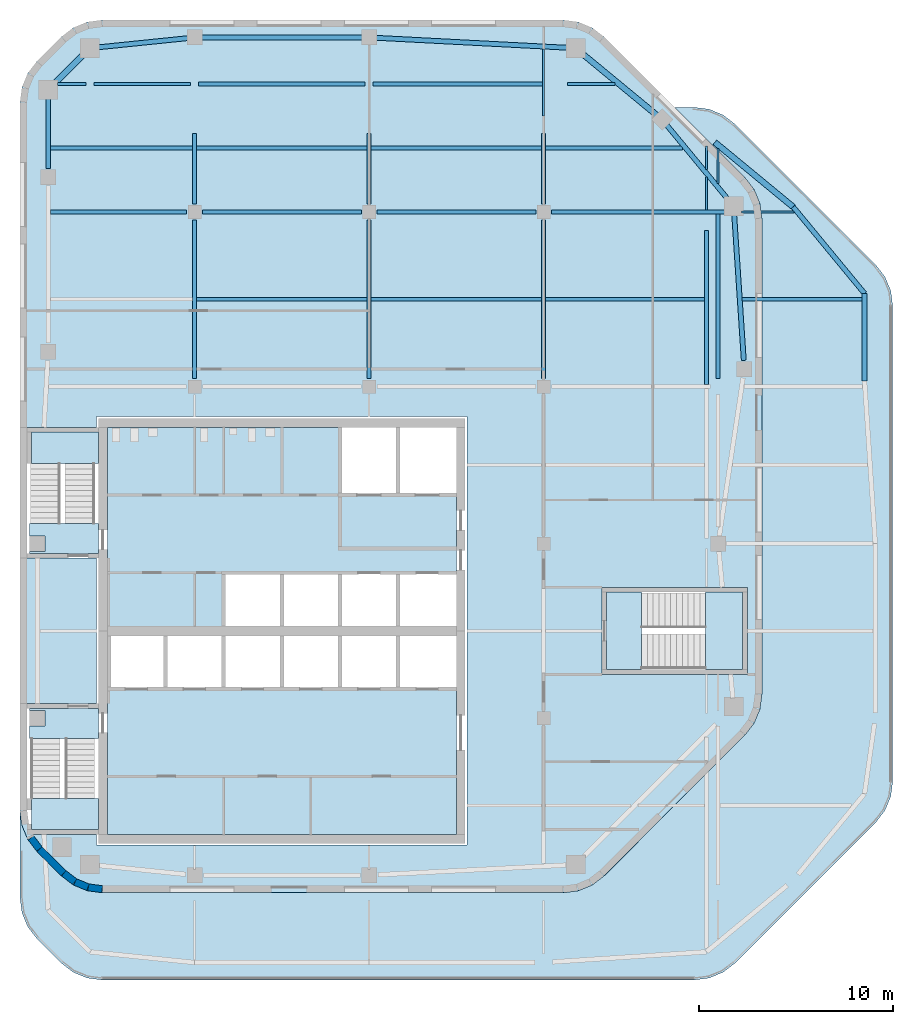
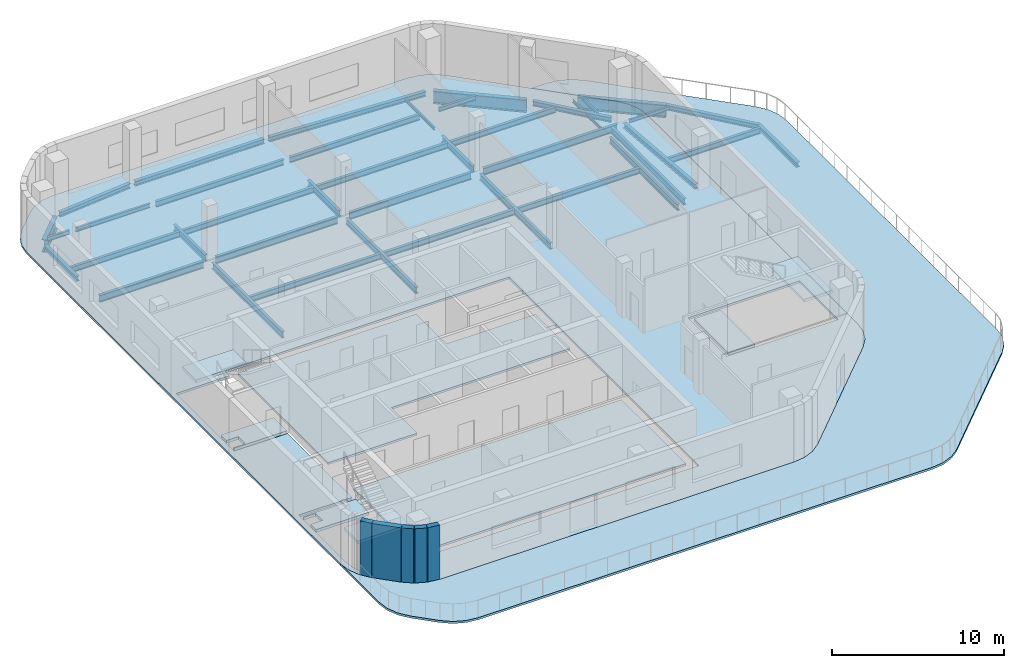
# One storey, part 2 of 7: 41 beams, 10 slabs, 5 walls, 3 elements without a shape of their own.
"""IFC4 building model written with IfcOpenShell, lengths in metres."""

from ifc_helpers import new_model, si_unit, direction, frame, frame_2d, origin, origin_2d, place, context, subcontext, project, spatial, polyline, rectangle, i_section, outline, extrude, material, layer, layer_set, material_profile, profile_set, type_object, element, aggregate, save


model = new_model("IFC4")

# Units and contexts
model_context = context("Model", 3, precision=1e-05, world=origin(), true_north=direction((0.0, 1.0)))
body_context = subcontext(model_context, "Body", "Model", "MODEL_VIEW")
ifc_project = project(units=[si_unit("LENGTHUNIT", "METRE"), si_unit("AREAUNIT", "SQUARE_METRE"), si_unit("VOLUMEUNIT", "CUBIC_METRE"), si_unit("PLANEANGLEUNIT", "RADIAN"), si_unit("MASSUNIT", "GRAM", prefix="KILO")], contexts=[model_context])

# Site, building, storey
site_placement = place(None, origin())
site = spatial("IfcSite", under=ifc_project, at=site_placement, CompositionType="ELEMENT")
building_placement = place(site_placement, origin())
building = spatial("IfcBuilding", under=site, at=building_placement, Name="Cinnabar Reach Civic Tower", CompositionType="ELEMENT")
storey_placement = place(building_placement, frame((0.0, 0.0, 247.0)))
storey = spatial("IfcBuildingStorey", under=building, at=storey_placement, Name="L59", CompositionType="ELEMENT", Elevation=247.0)

# Beams
ifc_material_1 = material(Name="Steel Q355B", Category="steel")
ifc_material_profile_1 = material_profile(ifc_material_1, i_section(OverallWidth=0.25, OverallDepth=0.34, WebThickness=0.009, FlangeThickness=0.014, FilletRadius=0.013, at=origin_2d()), Name="HM340x250x9x14")
ifc_profile_set_1 = profile_set([ifc_material_profile_1], Name="Steel Q355B")
beam_type_1 = type_object("IfcBeamType", Name="HM340x250x9x14 beam R 180", PredefinedType="BEAM", material=ifc_profile_set_1)
beam_1_placement = place(storey_placement, frame((37.3202, 45.452, -0.32), z_axis=(-0.065707231721, 0.99783894477, 0.0), x_axis=(-0.99783894477, -0.065707231721, 0.0)))
element("IfcBeam", 1, at=beam_1_placement, inside=storey, type_object=beam_type_1, Name="Edge beam T1 L59 8", PredefinedType="BEAM", context=body_context, shape_type="SweptSolid", body=[
    extrude(i_section(OverallWidth=0.25, OverallDepth=0.34, WebThickness=0.009, FlangeThickness=0.014, FilletRadius=0.013, at=origin_2d()), origin(), (0.0, 0.0, 1.0), 7.5304),
])
beam_2_placement = place(storey_placement, frame((36.4406, 53.8301, -0.32), z_axis=(-0.636320119611, 0.771425113267, 0.0), x_axis=(-0.771425113267, -0.636320119611, 0.0)))
element("IfcBeam", 2, at=beam_2_placement, inside=storey, type_object=beam_type_1, Name="Edge beam T1 L59 9", PredefinedType="BEAM", context=body_context, shape_type="SweptSolid", body=[
    extrude(i_section(OverallWidth=0.25, OverallDepth=0.34, WebThickness=0.009, FlangeThickness=0.014, FilletRadius=0.013, at=origin_2d()), origin(), (0.0, 0.0, 1.0), 4.8769),
])
beam_3_placement = place(storey_placement, frame((28.3968, 61.56, -0.32), z_axis=(-0.998653667697, 0.051873422826, 0.0), x_axis=(-0.051873422826, -0.998653667697, 0.0)))
element("IfcBeam", 3, at=beam_3_placement, inside=storey, type_object=beam_type_1, Name="Edge beam T1 L59 11", PredefinedType="BEAM", context=body_context, shape_type="SweptSolid", body=[
    extrude(i_section(OverallWidth=0.25, OverallDepth=0.34, WebThickness=0.009, FlangeThickness=0.014, FilletRadius=0.013, at=origin_2d()), origin(), (0.0, 0.0, 1.0), 10.2461),
])
beam_4_placement = place(storey_placement, frame((17.8481, 62.1, -0.32), z_axis=(-1.0, 0.0, 0.0), x_axis=(0.0, -1.0, 0.0)))
element("IfcBeam", 4, at=beam_4_placement, inside=storey, type_object=beam_type_1, Name="Edge beam T1 L59 12", PredefinedType="BEAM", context=body_context, shape_type="SweptSolid", body=[
    extrude(i_section(OverallWidth=0.25, OverallDepth=0.34, WebThickness=0.009, FlangeThickness=0.014, FilletRadius=0.013, at=origin_2d()), origin(), (0.0, 0.0, 1.0), 8.6962),
])
beam_5_placement = place(storey_placement, frame((8.8234, 62.0819, -0.32), z_axis=(-0.994791837941, -0.101927421073, 0.0), x_axis=(0.101927421073, -0.994791837941, 0.0)))
element("IfcBeam", 5, at=beam_5_placement, inside=storey, type_object=beam_type_1, Name="Edge beam T1 L59 13", PredefinedType="BEAM", context=body_context, shape_type="SweptSolid", body=[
    extrude(i_section(OverallWidth=0.25, OverallDepth=0.34, WebThickness=0.009, FlangeThickness=0.014, FilletRadius=0.013, at=origin_2d()), origin(), (0.0, 0.0, 1.0), 5.0526),
])
beam_6_placement = place(storey_placement, frame((1.4531, 59.0938, -0.32), z_axis=(0.0, -1.0, 0.0), x_axis=(1.0, 0.0, 0.0)))
element("IfcBeam", 6, at=beam_6_placement, inside=storey, type_object=beam_type_1, Name="Edge beam T1 L59 15", PredefinedType="BEAM", context=body_context, shape_type="SweptSolid", body=[
    extrude(i_section(OverallWidth=0.25, OverallDepth=0.34, WebThickness=0.009, FlangeThickness=0.014, FilletRadius=0.013, at=origin_2d()), origin(), (0.0, 0.0, 1.0), 3.7637),
])
beam_7_placement = place(storey_placement, frame((43.5469, 44.3981, -0.32), z_axis=(0.0, 1.0, 0.0), x_axis=(-1.0, 0.0, 0.0)))
element("IfcBeam", 7, at=beam_7_placement, inside=storey, type_object=beam_type_1, Name="Edge beam T1 L59 28", PredefinedType="BEAM", context=body_context, shape_type="SweptSolid", body=[
    extrude(i_section(OverallWidth=0.25, OverallDepth=0.34, WebThickness=0.009, FlangeThickness=0.014, FilletRadius=0.013, at=origin_2d()), origin(), (0.0, 0.0, 1.0), 4.5),
])
beam_8_placement = place(storey_placement, frame((43.5469, 48.8981, -0.32), z_axis=(-0.636307142697, 0.77143581726, 0.0), x_axis=(-0.77143581726, -0.636307142697, 0.0)))
element("IfcBeam", 8, at=beam_8_placement, inside=storey, type_object=beam_type_1, Name="Edge beam T1 L59 29", PredefinedType="BEAM", context=body_context, shape_type="SweptSolid", body=[
    extrude(i_section(OverallWidth=0.25, OverallDepth=0.34, WebThickness=0.009, FlangeThickness=0.014, FilletRadius=0.013, at=origin_2d()), origin(), (0.0, 0.0, 1.0), 5.7886),
])
ifc_material_profile_2 = material_profile(ifc_material_1, i_section(OverallWidth=0.099, OverallDepth=0.198, WebThickness=0.0045, FlangeThickness=0.007, FilletRadius=0.013, at=origin_2d()), Name="HN200x100x5.5x8")
ifc_profile_set_2 = profile_set([ifc_material_profile_2], Name="Steel Q355B")
beam_type_2 = type_object("IfcBeamType", Name="HN200x100x5.5x8 beam R 180", PredefinedType="BEAM", material=ifc_profile_set_2)
beam_9_placement = place(storey_placement, frame((27.0, 58.052, -0.249), z_axis=(0.0, 1.0, 0.0), x_axis=(-1.0, 0.0, 0.0)))
element("IfcBeam", 9, at=beam_9_placement, inside=storey, type_object=beam_type_2, Name="Girder T1 L59 17", PredefinedType="BEAM", context=body_context, shape_type="SweptSolid", body=[
    extrude(i_section(OverallWidth=0.099, OverallDepth=0.198, WebThickness=0.0045, FlangeThickness=0.007, FilletRadius=0.013, at=origin_2d()), origin(), (0.0, 0.0, 1.0), 3.4533),
])
beam_10_placement = place(storey_placement, frame((35.3981, 53.202, -0.249), z_axis=(0.0, 1.0, 0.0), x_axis=(-1.0, 0.0, 0.0)))
element("IfcBeam", 10, at=beam_10_placement, inside=storey, type_object=beam_type_2, Name="Girder T1 L59 23", PredefinedType="BEAM", context=body_context, shape_type="SweptSolid", body=[
    extrude(i_section(OverallWidth=0.099, OverallDepth=0.198, WebThickness=0.0045, FlangeThickness=0.007, FilletRadius=0.013, at=origin_2d()), origin(), (0.0, 0.0, 1.0), 1.6924),
])
beam_11_placement = place(storey_placement, frame((35.3981, 55.2935, -0.249), z_axis=(0.0, 1.0, 0.0), x_axis=(-1.0, 0.0, 0.0)))
element("IfcBeam", 11, at=beam_11_placement, inside=storey, type_object=beam_type_2, Name="Girder T1 L59 24", PredefinedType="BEAM", context=body_context, shape_type="SweptSolid", body=[
    extrude(i_section(OverallWidth=0.099, OverallDepth=0.198, WebThickness=0.0045, FlangeThickness=0.007, FilletRadius=0.013, at=origin_2d()), origin(), (0.0, 0.0, 1.0), 1.2014),
])
beam_12_placement = place(storey_placement, frame((36.0, 54.5638, -0.249), z_axis=(0.0, 1.0, 0.0), x_axis=(-1.0, 0.0, 0.0)))
element("IfcBeam", 12, at=beam_12_placement, inside=storey, type_object=beam_type_2, Name="Girder T1 L59 30", PredefinedType="BEAM", context=body_context, shape_type="SweptSolid", body=[
    extrude(i_section(OverallWidth=0.099, OverallDepth=0.198, WebThickness=0.0045, FlangeThickness=0.007, FilletRadius=0.013, at=origin_2d()), origin(), (0.0, 0.0, 1.0), 1.822),
])
ifc_material_profile_3 = material_profile(ifc_material_1, i_section(OverallWidth=0.124, OverallDepth=0.248, WebThickness=0.005, FlangeThickness=0.008, FilletRadius=0.013, at=origin_2d()), Name="HN250x125x6x9")
ifc_profile_set_3 = profile_set([ifc_material_profile_3], Name="Steel Q355B")
beam_type_3 = type_object("IfcBeamType", Name="HN250x125x6x9 beam R 180", PredefinedType="BEAM", material=ifc_profile_set_3)
beam_13_placement = place(storey_placement, frame((37.1989, 53.1, -0.274), z_axis=(1.0, 0.0, 0.0), x_axis=(0.0, 1.0, 0.0)))
element("IfcBeam", 13, at=beam_13_placement, inside=storey, type_object=beam_type_3, Name="Girder T1 L59 11", PredefinedType="BEAM", context=body_context, shape_type="SweptSolid", body=[
    extrude(i_section(OverallWidth=0.124, OverallDepth=0.248, WebThickness=0.005, FlangeThickness=0.008, FilletRadius=0.013, at=origin_2d()), origin(), (0.0, 0.0, 1.0), 2.7175),
])
ifc_material_profile_4 = material_profile(ifc_material_1, i_section(OverallWidth=0.15, OverallDepth=0.3, WebThickness=0.0065, FlangeThickness=0.009, FilletRadius=0.013, at=origin_2d()), Name="HN300x150x6.5x9")
ifc_profile_set_4 = profile_set([ifc_material_profile_4], Name="Steel Q355B")
beam_type_4 = type_object("IfcBeamType", Name="HN300x150x6.5x9 beam R 180", PredefinedType="BEAM", material=ifc_profile_set_4)
beam_14_placement = place(storey_placement, frame((1.9346, 59.7, -0.3), z_axis=(1.0, 0.0, 0.0), x_axis=(0.0, 1.0, 0.0)))
element("IfcBeam", 14, at=beam_14_placement, inside=storey, type_object=beam_type_4, Name="Secondary beam T1 L59 21", PredefinedType="BEAM", context=body_context, shape_type="SweptSolid", body=[
    extrude(i_section(OverallWidth=0.15, OverallDepth=0.3, WebThickness=0.0065, FlangeThickness=0.009, FilletRadius=0.013, at=origin_2d()), origin(), (0.0, 0.0, 1.0), 1.4653),
])
beam_15_placement = place(storey_placement, frame((3.8039, 59.7, -0.3), z_axis=(1.0, 0.0, 0.0), x_axis=(0.0, 1.0, 0.0)))
element("IfcBeam", 15, at=beam_15_placement, inside=storey, type_object=beam_type_4, Name="Secondary beam T1 L59 22", PredefinedType="BEAM", context=body_context, shape_type="SweptSolid", body=[
    extrude(i_section(OverallWidth=0.15, OverallDepth=0.3, WebThickness=0.0065, FlangeThickness=0.009, FilletRadius=0.013, at=origin_2d()), origin(), (0.0, 0.0, 1.0), 4.9941),
])
beam_16_placement = place(storey_placement, frame((28.2288, 59.7, -0.3), z_axis=(1.0, 0.0, 0.0), x_axis=(0.0, 1.0, 0.0)))
element("IfcBeam", 16, at=beam_16_placement, inside=storey, type_object=beam_type_4, Name="Secondary beam T1 L59 25", PredefinedType="BEAM", context=body_context, shape_type="SweptSolid", body=[
    extrude(i_section(OverallWidth=0.15, OverallDepth=0.3, WebThickness=0.0065, FlangeThickness=0.009, FilletRadius=0.013, at=origin_2d()), origin(), (0.0, 0.0, 1.0), 2.4588),
])
ifc_material_profile_5 = material_profile(ifc_material_1, i_section(OverallWidth=0.2, OverallDepth=0.4, WebThickness=0.008, FlangeThickness=0.013, FilletRadius=0.016, at=origin_2d()), Name="HN400x200x8x13")
ifc_profile_set_5 = profile_set([ifc_material_profile_5], Name="Steel Q355B")
beam_type_5 = type_object("IfcBeamType", Name="HN400x200x8x13 beam R 180", PredefinedType="BEAM", material=ifc_profile_set_5)
for number, where, z_axis, x_axis, name in (
    (17, (9.102, 48.6, -0.35), (1.0, 0.0, 0.0), (0.0, 1.0, 0.0), "Secondary beam T1 L59 13"),
    (18, (18.102, 48.6, -0.35), (1.0, 0.0, 0.0), (0.0, 1.0, 0.0), "Secondary beam T1 L59 14"),
):
    element("IfcBeam", number, at=place(storey_placement, frame(where, z_axis=z_axis, x_axis=x_axis)), inside=storey, type_object=beam_type_5, Name=name, PredefinedType="BEAM", context=body_context, shape_type="SweptSolid", body=[
        extrude(i_section(OverallWidth=0.2, OverallDepth=0.4, WebThickness=0.008, FlangeThickness=0.013, FilletRadius=0.016, at=origin_2d()), origin(), (0.0, 0.0, 1.0), 8.796),
    ])
beam_17_placement = place(storey_placement, frame((27.102, 48.6, -0.35), z_axis=(1.0, 0.0, 0.0), x_axis=(0.0, 1.0, 0.0)))
element("IfcBeam", 19, at=beam_17_placement, inside=storey, type_object=beam_type_5, Name="Secondary beam T1 L59 15", PredefinedType="BEAM", context=body_context, shape_type="SweptSolid", body=[
    extrude(i_section(OverallWidth=0.2, OverallDepth=0.4, WebThickness=0.008, FlangeThickness=0.013, FilletRadius=0.016, at=origin_2d()), origin(), (0.0, 0.0, 1.0), 8.1941),
])
beam_18_placement = place(storey_placement, frame((37.2402, 48.6, -0.35), z_axis=(1.0, 0.0, 0.0), x_axis=(0.0, 1.0, 0.0)))
element("IfcBeam", 20, at=beam_18_placement, inside=storey, type_object=beam_type_5, Name="Secondary beam T1 L59 16", PredefinedType="BEAM", context=body_context, shape_type="SweptSolid", body=[
    extrude(i_section(OverallWidth=0.2, OverallDepth=0.4, WebThickness=0.008, FlangeThickness=0.013, FilletRadius=0.016, at=origin_2d()), origin(), (0.0, 0.0, 1.0), 6.1797),
])
beam_19_placement = place(storey_placement, frame((1.5801, 56.4, -0.35), z_axis=(1.0, 0.0, 0.0), x_axis=(0.0, 1.0, 0.0)))
element("IfcBeam", 21, at=beam_19_placement, inside=storey, type_object=beam_type_5, Name="Secondary beam T1 L59 17", PredefinedType="BEAM", context=body_context, shape_type="SweptSolid", body=[
    extrude(i_section(OverallWidth=0.2, OverallDepth=0.4, WebThickness=0.008, FlangeThickness=0.013, FilletRadius=0.016, at=origin_2d()), origin(), (0.0, 0.0, 1.0), 7.3179),
])
for number, where, z_axis, x_axis, name in (
    (22, (9.102, 56.4, -0.35), (1.0, 0.0, 0.0), (0.0, 1.0, 0.0), "Secondary beam T1 L59 18"),
    (23, (18.102, 56.4, -0.35), (1.0, 0.0, 0.0), (0.0, 1.0, 0.0), "Secondary beam T1 L59 19"),
):
    element("IfcBeam", number, at=place(storey_placement, frame(where, z_axis=z_axis, x_axis=x_axis)), inside=storey, type_object=beam_type_5, Name=name, PredefinedType="BEAM", context=body_context, shape_type="SweptSolid", body=[
        extrude(i_section(OverallWidth=0.2, OverallDepth=0.4, WebThickness=0.008, FlangeThickness=0.013, FilletRadius=0.016, at=origin_2d()), origin(), (0.0, 0.0, 1.0), 8.796),
    ])
beam_20_placement = place(storey_placement, frame((27.102, 56.4, -0.35), z_axis=(1.0, 0.0, 0.0), x_axis=(0.0, 1.0, 0.0)))
element("IfcBeam", 24, at=beam_20_placement, inside=storey, type_object=beam_type_5, Name="Secondary beam T1 L59 20", PredefinedType="BEAM", context=body_context, shape_type="SweptSolid", body=[
    extrude(i_section(OverallWidth=0.2, OverallDepth=0.4, WebThickness=0.008, FlangeThickness=0.013, FilletRadius=0.016, at=origin_2d()), origin(), (0.0, 0.0, 1.0), 7.0542),
])
beam_21_placement = place(storey_placement, frame((9.202, 59.7, -0.35), z_axis=(1.0, 0.0, 0.0), x_axis=(0.0, 1.0, 0.0)))
element("IfcBeam", 25, at=beam_21_placement, inside=storey, type_object=beam_type_5, Name="Secondary beam T1 L59 23", PredefinedType="BEAM", context=body_context, shape_type="SweptSolid", body=[
    extrude(i_section(OverallWidth=0.2, OverallDepth=0.4, WebThickness=0.008, FlangeThickness=0.013, FilletRadius=0.016, at=origin_2d()), origin(), (0.0, 0.0, 1.0), 8.596),
])
beam_22_placement = place(storey_placement, frame((18.202, 59.7, -0.35), z_axis=(1.0, 0.0, 0.0), x_axis=(0.0, 1.0, 0.0)))
element("IfcBeam", 26, at=beam_22_placement, inside=storey, type_object=beam_type_5, Name="Secondary beam T1 L59 24", PredefinedType="BEAM", context=body_context, shape_type="SweptSolid", body=[
    extrude(i_section(OverallWidth=0.2, OverallDepth=0.4, WebThickness=0.008, FlangeThickness=0.013, FilletRadius=0.016, at=origin_2d()), origin(), (0.0, 0.0, 1.0), 8.7465),
])
ifc_material_profile_6 = material_profile(ifc_material_1, i_section(OverallWidth=0.2, OverallDepth=0.45, WebThickness=0.009, FlangeThickness=0.014, FilletRadius=0.016, at=origin_2d()), Name="HN450x200x9x14")
ifc_profile_set_6 = profile_set([ifc_material_profile_6], Name="Steel Q355B")
beam_type_6 = type_object("IfcBeamType", Name="HN450x200x9x14 beam R 180", PredefinedType="BEAM", material=ifc_profile_set_6)
beam_23_placement = place(storey_placement, frame((9.0, 44.502, -0.375), z_axis=(0.0, 1.0, 0.0), x_axis=(-1.0, 0.0, 0.0)))
element("IfcBeam", 27, at=beam_23_placement, inside=storey, type_object=beam_type_6, Name="Girder T1 L59 4", PredefinedType="BEAM", context=body_context, shape_type="SweptSolid", body=[
    extrude(i_section(OverallWidth=0.2, OverallDepth=0.45, WebThickness=0.009, FlangeThickness=0.014, FilletRadius=0.016, at=origin_2d()), origin(), (0.0, 0.0, 1.0), 8.196),
])
beam_24_placement = place(storey_placement, frame((9.0, 53.502, -0.375), z_axis=(0.0, 1.0, 0.0), x_axis=(-1.0, 0.0, 0.0)))
element("IfcBeam", 28, at=beam_24_placement, inside=storey, type_object=beam_type_6, Name="Girder T1 L59 5", PredefinedType="BEAM", context=body_context, shape_type="SweptSolid", body=[
    extrude(i_section(OverallWidth=0.2, OverallDepth=0.45, WebThickness=0.009, FlangeThickness=0.014, FilletRadius=0.016, at=origin_2d()), origin(), (0.0, 0.0, 1.0), 3.646),
])
beam_25_placement = place(storey_placement, frame((18.0, 44.502, -0.375), z_axis=(0.0, 1.0, 0.0), x_axis=(-1.0, 0.0, 0.0)))
element("IfcBeam", 29, at=beam_25_placement, inside=storey, type_object=beam_type_6, Name="Girder T1 L59 9", PredefinedType="BEAM", context=body_context, shape_type="SweptSolid", body=[
    extrude(i_section(OverallWidth=0.2, OverallDepth=0.45, WebThickness=0.009, FlangeThickness=0.014, FilletRadius=0.016, at=origin_2d()), origin(), (0.0, 0.0, 1.0), 8.196),
])
beam_26_placement = place(storey_placement, frame((18.0, 53.502, -0.375), z_axis=(0.0, 1.0, 0.0), x_axis=(-1.0, 0.0, 0.0)))
element("IfcBeam", 30, at=beam_26_placement, inside=storey, type_object=beam_type_6, Name="Girder T1 L59 10", PredefinedType="BEAM", context=body_context, shape_type="SweptSolid", body=[
    extrude(i_section(OverallWidth=0.2, OverallDepth=0.45, WebThickness=0.009, FlangeThickness=0.014, FilletRadius=0.016, at=origin_2d()), origin(), (0.0, 0.0, 1.0), 3.646),
])
beam_27_placement = place(storey_placement, frame((27.0, 44.502, -0.375), z_axis=(0.0, 1.0, 0.0), x_axis=(-1.0, 0.0, 0.0)))
element("IfcBeam", 31, at=beam_27_placement, inside=storey, type_object=beam_type_6, Name="Girder T1 L59 15", PredefinedType="BEAM", context=body_context, shape_type="SweptSolid", body=[
    extrude(i_section(OverallWidth=0.2, OverallDepth=0.45, WebThickness=0.009, FlangeThickness=0.014, FilletRadius=0.016, at=origin_2d()), origin(), (0.0, 0.0, 1.0), 8.196),
])
beam_28_placement = place(storey_placement, frame((27.0, 53.502, -0.375), z_axis=(0.0, 1.0, 0.0), x_axis=(-1.0, 0.0, 0.0)))
element("IfcBeam", 32, at=beam_28_placement, inside=storey, type_object=beam_type_6, Name="Girder T1 L59 16", PredefinedType="BEAM", context=body_context, shape_type="SweptSolid", body=[
    extrude(i_section(OverallWidth=0.2, OverallDepth=0.45, WebThickness=0.009, FlangeThickness=0.014, FilletRadius=0.016, at=origin_2d()), origin(), (0.0, 0.0, 1.0), 3.646),
])
beam_29_placement = place(storey_placement, frame((35.3981, 44.202, -0.375), z_axis=(0.0, 1.0, 0.0), x_axis=(-1.0, 0.0, 0.0)))
element("IfcBeam", 33, at=beam_29_placement, inside=storey, type_object=beam_type_6, Name="Girder T1 L59 22", PredefinedType="BEAM", context=body_context, shape_type="SweptSolid", body=[
    extrude(i_section(OverallWidth=0.2, OverallDepth=0.45, WebThickness=0.009, FlangeThickness=0.014, FilletRadius=0.016, at=origin_2d()), origin(), (0.0, 0.0, 1.0), 7.9429),
])
beam_30_placement = place(storey_placement, frame((36.0, 44.502, -0.375), z_axis=(0.0, 1.0, 0.0), x_axis=(-1.0, 0.0, 0.0)))
element("IfcBeam", 34, at=beam_30_placement, inside=storey, type_object=beam_type_6, Name="Girder T1 L59 29", PredefinedType="BEAM", context=body_context, shape_type="SweptSolid", body=[
    extrude(i_section(OverallWidth=0.2, OverallDepth=0.45, WebThickness=0.009, FlangeThickness=0.014, FilletRadius=0.016, at=origin_2d()), origin(), (0.0, 0.0, 1.0), 8.496),
])
ifc_material_profile_7 = material_profile(ifc_material_1, i_section(OverallWidth=0.2, OverallDepth=0.5, WebThickness=0.01, FlangeThickness=0.016, FilletRadius=0.016, at=origin_2d()), Name="HN500x200x10x16")
ifc_profile_set_7 = profile_set([ifc_material_profile_7], Name="Steel Q355B")
beam_type_7 = type_object("IfcBeamType", Name="HN500x200x10x16 beam R 180", PredefinedType="BEAM", material=ifc_profile_set_7)
beam_31_placement = place(storey_placement, frame((1.5801, 53.1, -0.4), z_axis=(1.0, 0.0, 0.0), x_axis=(0.0, 1.0, 0.0)))
element("IfcBeam", 35, at=beam_31_placement, inside=storey, type_object=beam_type_7, Name="Girder T1 L59 7", PredefinedType="BEAM", context=body_context, shape_type="SweptSolid", body=[
    extrude(i_section(OverallWidth=0.2, OverallDepth=0.5, WebThickness=0.01, FlangeThickness=0.016, FilletRadius=0.016, at=origin_2d()), origin(), (0.0, 0.0, 1.0), 7.0179),
])
for number, where, z_axis, x_axis, name in (
    (36, (9.402, 53.1, -0.4), (1.0, 0.0, 0.0), (0.0, 1.0, 0.0), "Girder T1 L59 8"),
    (37, (18.402, 53.1, -0.4), (1.0, 0.0, 0.0), (0.0, 1.0, 0.0), "Girder T1 L59 9"),
):
    element("IfcBeam", number, at=place(storey_placement, frame(where, z_axis=z_axis, x_axis=x_axis)), inside=storey, type_object=beam_type_7, Name=name, PredefinedType="BEAM", context=body_context, shape_type="SweptSolid", body=[
        extrude(i_section(OverallWidth=0.2, OverallDepth=0.5, WebThickness=0.01, FlangeThickness=0.016, FilletRadius=0.016, at=origin_2d()), origin(), (0.0, 0.0, 1.0), 8.196),
    ])
beam_32_placement = place(storey_placement, frame((27.402, 53.1, -0.4), z_axis=(1.0, 0.0, 0.0), x_axis=(0.0, 1.0, 0.0)))
element("IfcBeam", 38, at=beam_32_placement, inside=storey, type_object=beam_type_7, Name="Girder T1 L59 10", PredefinedType="BEAM", context=body_context, shape_type="SweptSolid", body=[
    extrude(i_section(OverallWidth=0.2, OverallDepth=0.5, WebThickness=0.01, FlangeThickness=0.016, FilletRadius=0.016, at=origin_2d()), origin(), (0.0, 0.0, 1.0), 8.9929),
])
ifc_material_profile_8 = material_profile(ifc_material_1, i_section(OverallWidth=0.3, OverallDepth=0.9, WebThickness=0.016, FlangeThickness=0.028, FilletRadius=0.02, at=origin_2d()), Name="HN900x300x16x28")
ifc_profile_set_8 = profile_set([ifc_material_profile_8], Name="Steel Q355B")
beam_type_8 = type_object("IfcBeamType", Name="TRANSFER HN900x300x16x28 R 240", PredefinedType="BEAM", material=ifc_profile_set_8)
beam_33_placement = place(storey_placement, frame((33.094, 57.8798, -0.6), z_axis=(-0.771441858352, 0.636299818625, 0.0), x_axis=(-0.636299818625, -0.771441858352, 0.0)))
element("IfcBeam", 39, at=beam_33_placement, inside=storey, type_object=beam_type_8, Name="Edge beam T1 L59 10", PredefinedType="BEAM", context=body_context, shape_type="SweptSolid", body=[
    extrude(i_section(OverallWidth=0.3, OverallDepth=0.9, WebThickness=0.016, FlangeThickness=0.028, FilletRadius=0.02, at=origin_2d()), origin(), (0.0, 0.0, 1.0), 5.5112),
])
beam_34_placement = place(storey_placement, frame((3.3999, 61.3449, -0.6), z_axis=(-0.707106781187, -0.707106781187, 0.0), x_axis=(0.707106781187, -0.707106781187, 0.0)))
element("IfcBeam", 40, at=beam_34_placement, inside=storey, type_object=beam_type_8, Name="Edge beam T1 L59 14", PredefinedType="BEAM", context=body_context, shape_type="SweptSolid", body=[
    extrude(i_section(OverallWidth=0.3, OverallDepth=0.9, WebThickness=0.016, FlangeThickness=0.028, FilletRadius=0.02, at=origin_2d()), origin(), (0.0, 0.0, 1.0), 2.5463),
])
beam_35_placement = place(storey_placement, frame((39.8636, 53.3636, -0.6), z_axis=(-0.771433127249, 0.636310403956, 0.0), x_axis=(-0.636310403956, -0.771433127249, 0.0)))
element("IfcBeam", 41, at=beam_35_placement, inside=storey, type_object=beam_type_8, Name="Edge beam T1 L59 30", PredefinedType="BEAM", context=body_context, shape_type="SweptSolid", body=[
    extrude(i_section(OverallWidth=0.3, OverallDepth=0.9, WebThickness=0.016, FlangeThickness=0.028, FilletRadius=0.02, at=origin_2d()), origin(), (0.0, 0.0, 1.0), 5.2286),
])

# Slab
ifc_material_2 = material(Name="Concrete C40", Category="concrete")
ifc_layer_1 = layer(ifc_material_2, 0.15)
ifc_layer_set_1 = layer_set([ifc_layer_1], Name="Composite floor slab 150 REI 150")
slab_type_1 = type_object("IfcSlabType", Name="Composite floor slab 150 REI 150", PredefinedType="FLOOR", material=ifc_layer_set_1)
slab_1_placement = place(storey_placement, frame((0.0, 0.0, -0.15)))
element("IfcSlab", 42, at=slab_1_placement, inside=storey, type_object=slab_type_1, Name="Composite floor slab 150 T1 L59", PredefinedType="FLOOR", context=body_context, shape_type="SweptSolid", body=[
    extrude(outline(polyline([(0.8787, 20.1213), (0.4019, 20.7426), (0.1022, 21.4662), (0.0, 22.2426), (0.0, 58.7574), (0.1022, 59.5338), (0.4019, 60.2574), (0.8787, 60.8787), (2.1213, 62.1213), (2.7426, 62.5981), (3.4662, 62.8978), (4.2426, 63.0), (28.0074, 63.0), (28.7838, 62.8978), (29.5074, 62.5981), (30.1287, 62.1213), (37.3713, 54.8787), (37.8481, 54.2574), (38.1478, 53.5338), (38.25, 52.7574), (38.25, 28.2426), (38.1478, 27.4662), (37.8481, 26.7426), (37.3713, 26.1213), (30.1287, 18.8787), (29.5074, 18.4019), (28.7838, 18.1022), (28.0074, 18.0), (4.2426, 18.0), (3.4662, 18.1022), (2.7426, 18.4019), (2.1213, 18.8787), (0.8787, 20.1213)]), holes=[polyline([(0.685, 21.0), (3.95, 21.0), (3.95, 20.45), (23.05, 20.45), (23.05, 42.55), (3.95, 42.55), (3.95, 42.0), (0.36, 42.0), (0.36, 35.25), (3.95, 35.25), (3.95, 27.75), (0.36, 27.75), (0.36, 22.2662), (0.453, 21.5602), (0.685, 21.0)]), polyline([(30.0, 33.75), (30.0, 29.25), (37.5, 29.25), (37.5, 33.75), (30.0, 33.75)])]), origin(), (0.0, 0.0, 1.0), 0.15),
])

# Stair, slabs
ifc_material_3 = material(Name="Concrete C40/50", Category="concrete")
stair_type = type_object("IfcStairType", Name="T1 Exit stair, half-turn", PredefinedType="HALF_TURN_STAIR", material=ifc_material_3)
stair_1_placement = place(storey_placement, origin())
stair_1 = element("IfcStair", 43, at=stair_1_placement, inside=storey, type_object=stair_type, Name="Stair T1-S1", PredefinedType="HALF_TURN_STAIR")
ifc_layer_2 = layer(ifc_material_3, 0.2)
ifc_layer_set_2 = layer_set([ifc_layer_2], Name="T1 Stair landing 200, Concrete C40/50")
slab_type_2 = type_object("IfcSlabType", Name="T1 Stair landing 200, Concrete C40/50", PredefinedType="LANDING", material=ifc_layer_set_2)
slab_2_placement = place(storey_placement, frame((0.0, 0.0, -0.2)))
slab_2 = element("IfcSlab", 44, at=slab_2_placement, type_object=slab_type_2, Name="T1-S1 landing 1", PredefinedType="LANDING", context=body_context, shape_type="SweptSolid", body=[
    extrude(outline(polyline([(0.5, 27.5), (4.05, 27.5), (4.05, 25.95), (0.5, 25.95), (0.5, 26.6), (1.3, 26.6), (1.3, 27.4), (0.5, 27.4), (0.5, 27.5)])), origin(), (0.0, 0.0, 1.0), 0.2),
])
slab_3_placement = place(storey_placement, frame((0.0, 0.0, 1.8)))
slab_3 = element("IfcSlab", 45, at=slab_3_placement, type_object=slab_type_2, Name="T1-S1 landing 2", PredefinedType="LANDING", context=body_context, shape_type="SweptSolid", body=[
    extrude(outline(polyline([(0.6, 21.25), (0.6, 22.87), (4.05, 22.87), (4.05, 21.25), (0.6, 21.25)])), origin(), (0.0, 0.0, 1.0), 0.2),
])
aggregate(stair_1, [slab_2, slab_3])

stair_2_placement = place(storey_placement, origin())
stair_2 = element("IfcStair", 46, at=stair_2_placement, inside=storey, type_object=stair_type, Name="Stair T1-S2", PredefinedType="HALF_TURN_STAIR")
slab_4_placement = place(storey_placement, frame((0.0, 0.0, -0.2)))
slab_4 = element("IfcSlab", 47, at=slab_4_placement, type_object=slab_type_2, Name="T1-S2 landing 1", PredefinedType="LANDING", context=body_context, shape_type="SweptSolid", body=[
    extrude(outline(polyline([(0.5, 37.05), (4.05, 37.05), (4.05, 35.5), (0.5, 35.5), (0.5, 35.6), (1.3, 35.6), (1.3, 36.4), (0.5, 36.4), (0.5, 37.05)])), origin(), (0.0, 0.0, 1.0), 0.2),
])
slab_5_placement = place(storey_placement, frame((0.0, 0.0, 1.8)))
slab_5 = element("IfcSlab", 48, at=slab_5_placement, type_object=slab_type_2, Name="T1-S2 landing 2", PredefinedType="LANDING", context=body_context, shape_type="SweptSolid", body=[
    extrude(outline(polyline([(0.6, 40.13), (0.6, 41.75), (4.05, 41.75), (4.05, 40.13), (0.6, 40.13)])), origin(), (0.0, 0.0, 1.0), 0.2),
])
aggregate(stair_2, [slab_4, slab_5])

stair_3_placement = place(storey_placement, origin())
stair_3 = element("IfcStair", 49, at=stair_3_placement, inside=storey, type_object=stair_type, Name="Stair T1-S3", PredefinedType="HALF_TURN_STAIR")
slab_6_placement = place(storey_placement, frame((0.0, 0.0, -0.2)))
slab_6 = element("IfcSlab", 50, at=slab_6_placement, type_object=slab_type_2, Name="T1-S3 landing 1", PredefinedType="LANDING", context=body_context, shape_type="SweptSolid", body=[
    extrude(outline(polyline([(30.25, 29.5), (32.05, 29.5), (32.05, 33.5), (30.25, 33.5), (30.25, 29.5)])), origin(), (0.0, 0.0, 1.0), 0.2),
])
slab_7_placement = place(storey_placement, frame((0.0, 0.0, 1.8)))
slab_7 = element("IfcSlab", 51, at=slab_7_placement, type_object=slab_type_2, Name="T1-S3 landing 2", PredefinedType="LANDING", context=body_context, shape_type="SweptSolid", body=[
    extrude(outline(polyline([(35.35, 29.5), (37.25, 29.5), (37.25, 33.5), (35.35, 33.5), (35.35, 29.5)])), origin(), (0.0, 0.0, 1.0), 0.2),
])
aggregate(stair_3, [slab_6, slab_7])

# Slabs
ifc_layer_3 = layer(ifc_material_3, 0.15)
ifc_layer_set_3 = layer_set([ifc_layer_3], Name="T1 core floor slab 150")
slab_type_3 = type_object("IfcSlabType", Name="T1 core floor slab 150", PredefinedType="FLOOR", material=ifc_layer_set_3)
slab_8_placement = place(storey_placement, frame((0.0, 0.0, -0.15)))
element("IfcSlab", 52, at=slab_8_placement, inside=storey, type_object=slab_type_3, Name="Core floor slab L59", PredefinedType="FLOOR", context=body_context, shape_type="SweptSolid", body=[
    extrude(outline(polyline([(22.5, 21.0), (4.5, 21.0), (4.5, 28.5), (7.5, 28.5), (10.5, 28.5), (13.5, 28.5), (16.5, 28.5), (19.5, 28.5), (22.5, 28.5), (22.5, 21.0)])), origin(), (0.0, 0.0, 1.0), 0.15),
])
slab_9_placement = place(storey_placement, frame((0.0, 0.0, -0.15)))
element("IfcSlab", 53, at=slab_9_placement, inside=storey, type_object=slab_type_3, Name="Core floor slab L59", PredefinedType="FLOOR", context=body_context, shape_type="SweptSolid", body=[
    extrude(outline(polyline([(22.5, 34.5), (19.5, 34.5), (16.5, 34.5), (13.5, 34.5), (10.5, 34.5), (10.5, 31.5), (7.5, 31.5), (4.5, 31.5), (4.5, 42.0), (16.5, 42.0), (16.5, 38.5), (19.5, 38.5), (22.5, 38.5), (22.5, 34.5)])), origin(), (0.0, 0.0, 1.0), 0.15),
])
ifc_layer_4 = layer(ifc_material_2, 0.15)
ifc_layer_set_4 = layer_set([ifc_layer_4], Name="Terrace slab 150 REI 150")
slab_type_4 = type_object("IfcSlabType", Name="Terrace slab 150 REI 150", PredefinedType="FLOOR", material=ifc_layer_set_4)
slab_10_placement = place(storey_placement, frame((0.0, 0.0, -0.15)))
element("IfcSlab", 54, at=slab_10_placement, inside=storey, type_object=slab_type_4, Name="Terrace slab T1 L59 1", PredefinedType="FLOOR", context=body_context, shape_type="SweptSolid", body=[
    extrude(outline(polyline([(34.7574, 58.5), (35.5338, 58.3978), (36.2574, 58.0981), (36.8787, 57.6213), (44.1213, 50.3787), (44.5981, 49.7574), (44.8978, 49.0338), (45.0, 48.2574), (45.0, 23.7426), (44.8978, 22.9662), (44.5981, 22.2426), (44.1213, 21.6213), (36.8787, 14.3787), (36.2574, 13.9019), (35.5338, 13.6022), (34.7574, 13.5), (4.2426, 13.5), (3.4662, 13.6022), (2.7426, 13.9019), (2.1213, 14.3787), (0.8787, 15.6213), (0.4019, 16.2426), (0.1022, 16.9662), (0.0, 17.7426), (0.0, 22.2426), (0.1022, 21.4662), (0.4019, 20.7426), (0.8787, 20.1213), (2.1213, 18.8787), (2.7426, 18.4019), (3.4662, 18.1022), (4.2426, 18.0), (28.0074, 18.0), (28.7838, 18.1022), (29.5074, 18.4019), (30.1287, 18.8787), (37.3713, 26.1213), (37.8481, 26.7426), (38.1478, 27.4662), (38.25, 28.2426), (38.25, 52.7574), (38.1478, 53.5338), (37.8481, 54.2574), (37.3713, 54.8787), (33.75, 58.5), (34.7574, 58.5)])), origin(), (0.0, 0.0, 1.0), 0.15),
])

# Walls
ifc_material_4 = material(Name="Facing brick with insulated backing", Category="masonry")
ifc_layer_5 = layer(ifc_material_4, 0.36)
ifc_layer_set_5 = layer_set([ifc_layer_5], Name="Brick corner wall")
wall_type_1 = type_object("IfcWallType", Name="Brick corner wall", PredefinedType="STANDARD", material=ifc_layer_set_5)
for number, where, z_axis, x_axis, name in (
    (55, (0.566, 20.8245, 0.0), (0.0, 0.0, 1.0), (0.608802368033, -0.793321924995, 0.0), "Brick corner wall"),
    (56, (2.2587, 19.0002, 0.0), (0.0, 0.0, 1.0), (0.793321924995, -0.608802368033, 0.0), "Brick corner wall"),
):
    element("IfcWall", number, at=place(storey_placement, frame(where, z_axis=z_axis, x_axis=x_axis)), inside=storey, type_object=wall_type_1, Name=name, PredefinedType="STANDARD", context=body_context, shape_type="SweptSolid", body=[
        extrude(rectangle(XDim=0.7132, YDim=0.36, at=frame_2d((0.3566, 0.0))), origin(), (0.0, 0.0, 1.0), 3.85),
    ])
for number, where, z_axis, x_axis, name in (
    (57, (2.8439, 18.5548, 0.0), (0.0, 0.0, 1.0), (0.923871547278, -0.382702709855, 0.0), "Brick corner wall"),
    (58, (3.5244, 18.2761, 0.0), (0.0, 0.0, 1.0), (0.99144092581, -0.13055608231, 0.0), "Brick corner wall"),
):
    element("IfcWall", number, at=place(storey_placement, frame(where, z_axis=z_axis, x_axis=x_axis)), inside=storey, type_object=wall_type_1, Name=name, PredefinedType="STANDARD", context=body_context, shape_type="SweptSolid", body=[
        extrude(rectangle(XDim=0.7131, YDim=0.36, at=frame_2d((0.3565, 0.0))), origin(), (0.0, 0.0, 1.0), 3.85),
    ])
ifc_layer_6 = layer(ifc_material_4, 0.36)
ifc_layer_set_6 = layer_set([ifc_layer_6], Name="Brick pier and spandrel wall")
wall_type_2 = type_object("IfcWallType", Name="Brick pier and spandrel wall", PredefinedType="STANDARD", material=ifc_layer_set_6)
wall_placement = place(storey_placement, frame((1.006, 20.2486, 0.0), z_axis=(0.0, 0.0, 1.0), x_axis=(0.707106781187, -0.707106781187, 0.0)))
element("IfcWall", 59, at=wall_placement, inside=storey, type_object=wall_type_2, Name="Brick facade wall", PredefinedType="STANDARD", context=body_context, shape_type="SweptSolid", body=[
    extrude(rectangle(XDim=1.7573, YDim=0.36, at=frame_2d((0.8787, 0.0))), origin(), (0.0, 0.0, 1.0), 3.85),
])

save(model, "model.ifc")
